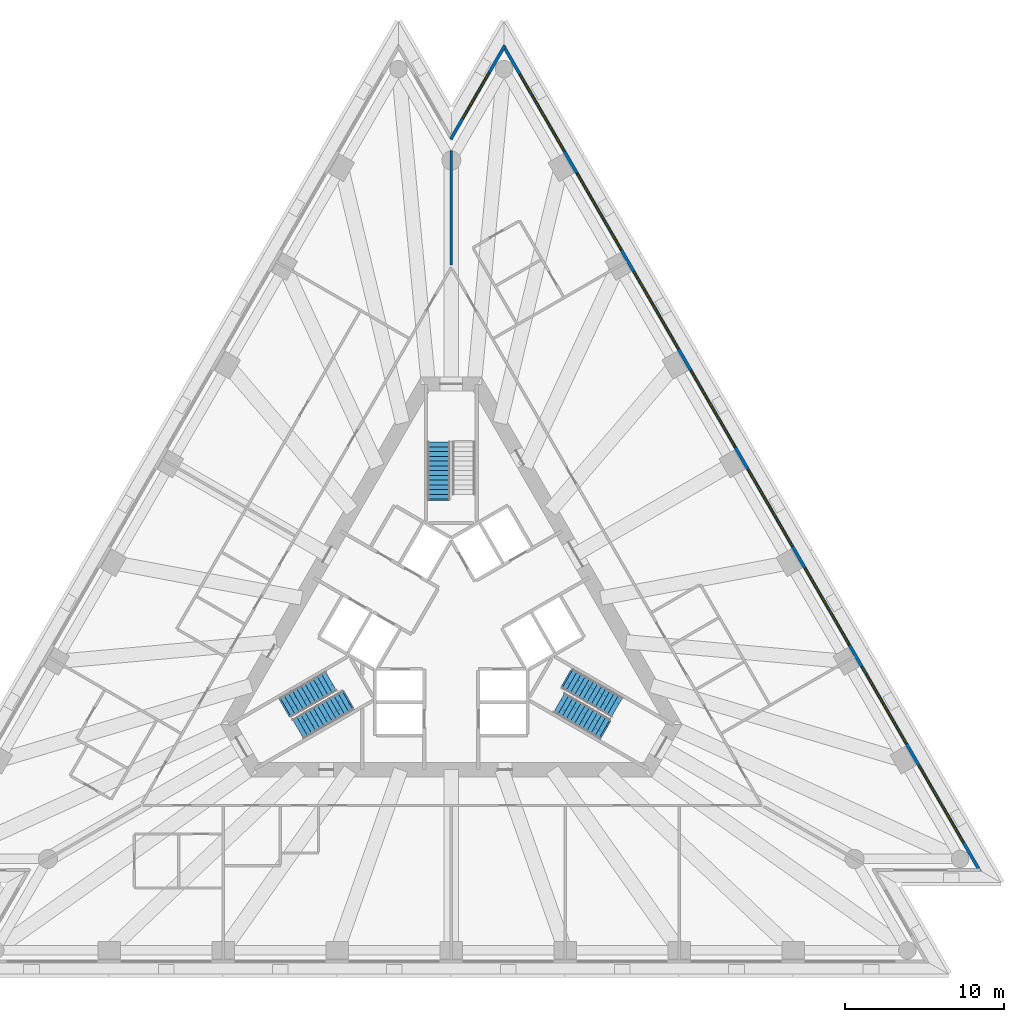
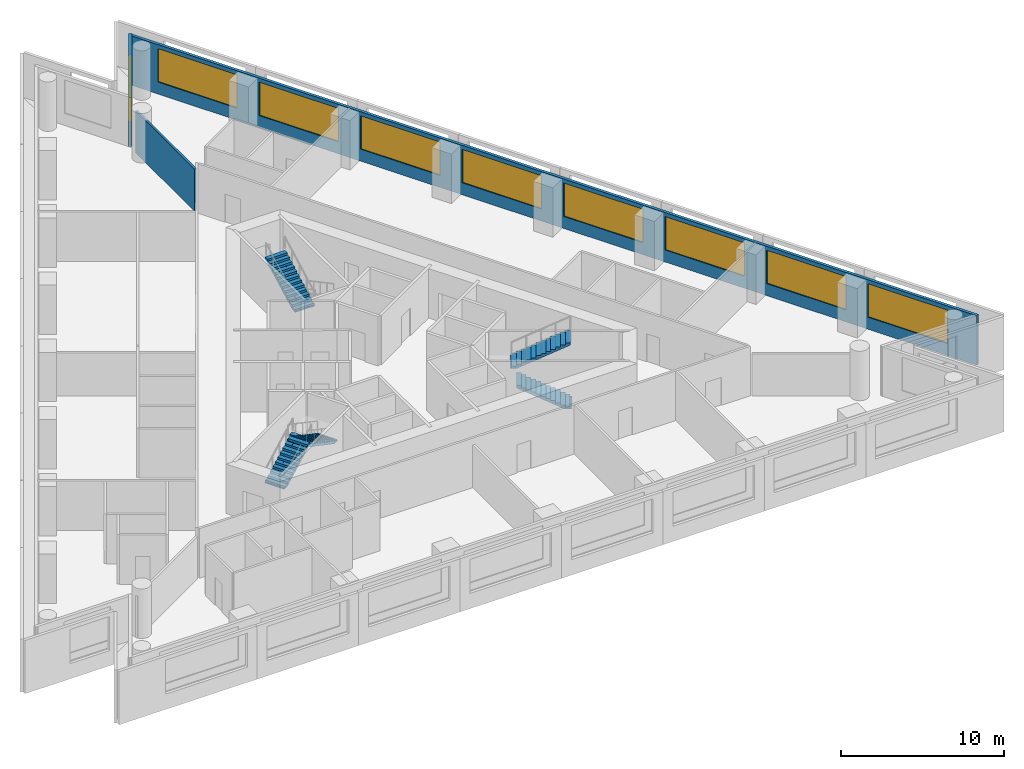
# One storey, part 8 of 11: 9 windows, 5 stair flights, 3 walls, 9 openings, 3 elements without a shape of their own.
"""IFC4 building model written with IfcOpenShell, lengths in metres."""

from ifc_helpers import new_model, si_unit, direction, frame, frame_2d, origin, place, context, subcontext, project, spatial, polyline, rectangle, outline, extrude, material, layer, layer_set, layer_usage, type_object, element, fill, aggregate, save


model = new_model("IFC4")

# Units and contexts
model_context = context("Model", 3, precision=1e-05, world=origin(), true_north=direction((0.0, 1.0)))
body_context = subcontext(model_context, "Body", "Model", "MODEL_VIEW")
ifc_project = project(units=[si_unit("LENGTHUNIT", "METRE"), si_unit("AREAUNIT", "SQUARE_METRE"), si_unit("VOLUMEUNIT", "CUBIC_METRE"), si_unit("PLANEANGLEUNIT", "RADIAN"), si_unit("MASSUNIT", "GRAM", prefix="KILO")], contexts=[model_context])

# Site, building, storey
site_placement = place(None, origin())
site = spatial("IfcSite", under=ifc_project, at=site_placement, CompositionType="ELEMENT")
building_placement = place(site_placement, origin())
building = spatial("IfcBuilding", under=site, at=building_placement, Name="Triada Interchange Tower", CompositionType="ELEMENT")
storey_placement = place(building_placement, frame((0.0, 0.0, 87.300048828125)))
storey = spatial("IfcBuildingStorey", under=building, at=storey_placement, Name="L19", CompositionType="ELEMENT", Elevation=87.300048828125)

# Wall, openings, windows
ifc_material_1 = material(Name="Cement board")
ifc_layer_1 = layer(ifc_material_1, 0.02001953125, Name="Cement board cladding")
ifc_material_2 = material(Name="Sheathing board")
ifc_layer_2 = layer(ifc_material_2, 0.014892578125, Name="Sheathing board")
ifc_material_3 = material(Name="Mineral wool")
ifc_layer_3 = layer(ifc_material_3, 0.14990234375, Name="Mineral wool between steel studs")
ifc_material_4 = material(Name="Gypsum board")
ifc_layer_4 = layer(ifc_material_4, 0.014892578125, Name="Plasterboard lining")
ifc_layer_set_1 = layer_set([ifc_layer_1, ifc_layer_2, ifc_layer_3, ifc_layer_4], Name="External wall 200")
ifc_layer_usage = layer_usage(ifc_layer_set_1, "AXIS2", "POSITIVE", -0.10009765625)
wall_type_1 = type_object("IfcWallType", Name="External wall 200", PredefinedType="ELEMENTEDWALL", material=ifc_layer_set_1)
wall_1_placement = place(storey_placement, frame((33.31689453125, -15.447998046875, 0.0), z_axis=(0.0, 0.0, 1.0), x_axis=(-0.499999874703, 0.866025476125, 0.0)))
wall_1 = element("IfcWall", 1, at=wall_1_placement, inside=storey, type_object=wall_type_1, material=ifc_layer_usage, Name="External wall L19 NE", PredefinedType="ELEMENTEDWALL", context=body_context, shape_type="SweptSolid", body=[
    extrude(rectangle(XDim=60.0537109375, YDim=0.199951171875, at=frame_2d((30.02685546875, 0.0))), origin(), (0.0, 0.0, 1.0), 3.699951171875),
])
opening_1_placement = place(wall_1_placement, frame((2.093994140625, 0.0, 0.89990234375)))
opening_1 = element("IfcOpeningElement", 2, at=opening_1_placement, cuts=wall_1, Name="Opening WA21", PredefinedType="OPENING", context=body_context, shape_type="SweptSolid", body=[
    extrude(rectangle(XDim=5.60009765625, YDim=2.5, at=frame_2d((2.800048828125, 1.25))), frame((0.0, 0.10986328125, 0.0), z_axis=(0.0, -1.0, 0.0), x_axis=(1.0, 0.0, 0.0)), (0.0, 0.0, 1.0), 0.219970703125),
])
opening_2_placement = place(wall_1_placement, frame((9.278076171875, 0.0, 0.89990234375)))
opening_2 = element("IfcOpeningElement", 3, at=opening_2_placement, cuts=wall_1, Name="Opening WA22", PredefinedType="OPENING", context=body_context, shape_type="SweptSolid", body=[
    extrude(rectangle(XDim=5.60009765625, YDim=2.5, at=frame_2d((2.800048828125, 1.25))), frame((0.0, 0.10986328125, 0.0), z_axis=(0.0, -1.0, 0.0), x_axis=(1.0, 0.0, 0.0)), (0.0, 0.0, 1.0), 0.219970703125),
])
opening_3_placement = place(wall_1_placement, frame((16.4619140625, 0.0, 0.89990234375)))
opening_3 = element("IfcOpeningElement", 4, at=opening_3_placement, cuts=wall_1, Name="Opening WA23", PredefinedType="OPENING", context=body_context, shape_type="SweptSolid", body=[
    extrude(rectangle(XDim=5.60009765625, YDim=2.5, at=frame_2d((2.800048828125, 1.25))), frame((0.0, 0.10986328125, 0.0), z_axis=(0.0, -1.0, 0.0), x_axis=(1.0, 0.0, 0.0)), (0.0, 0.0, 1.0), 0.219970703125),
])
opening_4_placement = place(wall_1_placement, frame((23.64501953125, 0.0, 0.89990234375)))
opening_4 = element("IfcOpeningElement", 5, at=opening_4_placement, cuts=wall_1, Name="Opening WA24", PredefinedType="OPENING", context=body_context, shape_type="SweptSolid", body=[
    extrude(rectangle(XDim=5.60009765625, YDim=2.5, at=frame_2d((2.800048828125, 1.25))), frame((0.0, 0.10986328125, 0.0), z_axis=(0.0, -1.0, 0.0), x_axis=(1.0, 0.0, 0.0)), (0.0, 0.0, 1.0), 0.219970703125),
])
opening_5_placement = place(wall_1_placement, frame((30.8291015625, 0.0, 0.89990234375)))
opening_5 = element("IfcOpeningElement", 6, at=opening_5_placement, cuts=wall_1, Name="Opening WA25", PredefinedType="OPENING", context=body_context, shape_type="SweptSolid", body=[
    extrude(rectangle(XDim=5.60009765625, YDim=2.5, at=frame_2d((2.800048828125, 1.25))), frame((0.0, 0.10986328125, 0.0), z_axis=(0.0, -1.0, 0.0), x_axis=(1.0, 0.0, 0.0)), (0.0, 0.0, 1.0), 0.219970703125),
])
opening_6_placement = place(wall_1_placement, frame((38.011962890625, 0.0, 0.89990234375)))
opening_6 = element("IfcOpeningElement", 7, at=opening_6_placement, cuts=wall_1, Name="Opening WA26", PredefinedType="OPENING", context=body_context, shape_type="SweptSolid", body=[
    extrude(rectangle(XDim=5.60009765625, YDim=2.5, at=frame_2d((2.800048828125, 1.25))), frame((0.0, 0.10986328125, 0.0), z_axis=(0.0, -1.0, 0.0), x_axis=(1.0, 0.0, 0.0)), (0.0, 0.0, 1.0), 0.219970703125),
])
opening_7_placement = place(wall_1_placement, frame((45.196044921875, 0.0, 0.89990234375)))
opening_7 = element("IfcOpeningElement", 8, at=opening_7_placement, cuts=wall_1, Name="Opening WA27", PredefinedType="OPENING", context=body_context, shape_type="SweptSolid", body=[
    extrude(rectangle(XDim=5.60009765625, YDim=2.5, at=frame_2d((2.800048828125, 1.25))), frame((0.0, 0.10986328125, 0.0), z_axis=(0.0, -1.0, 0.0), x_axis=(1.0, 0.0, 0.0)), (0.0, 0.0, 1.0), 0.219970703125),
])
opening_8_placement = place(wall_1_placement, frame((52.37890625, 0.0, 0.89990234375)))
opening_8 = element("IfcOpeningElement", 9, at=opening_8_placement, cuts=wall_1, Name="Opening WA28", PredefinedType="OPENING", context=body_context, shape_type="SweptSolid", body=[
    extrude(rectangle(XDim=5.60009765625, YDim=2.5, at=frame_2d((2.800048828125, 1.25))), frame((0.0, 0.10986328125, 0.0), z_axis=(0.0, -1.0, 0.0), x_axis=(1.0, 0.0, 0.0)), (0.0, 0.0, 1.0), 0.219970703125),
])
ifc_material_5 = material(Name="Double glazed aluminium window", Category="aluminium")
window_type_1 = type_object("IfcWindowType", Name="Ribbon window A face", PartitioningType="SINGLE_PANEL", PredefinedType="WINDOW", material=ifc_material_5)
window_1_placement = place(opening_1_placement, origin())
window_1 = element("IfcWindow", 10, at=window_1_placement, inside=storey, type_object=window_type_1, Name="Window L19 NE 1", OverallHeight=2.5, OverallWidth=5.60009765625, PartitioningType="SINGLE_PANEL", PredefinedType="WINDOW", context=body_context, shape_type="SweptSolid", body=[
    extrude(rectangle(XDim=5.60009765625, YDim=2.5, at=frame_2d((2.800048828125, 1.25))), frame((0.0, 0.030029296875, 0.0), z_axis=(0.0, -1.0, 0.0), x_axis=(1.0, 0.0, 0.0)), (0.0, 0.0, 1.0), 0.06005859375),
])
fill(opening_1, window_1)
window_2_placement = place(opening_2_placement, origin())
window_2 = element("IfcWindow", 11, at=window_2_placement, inside=storey, type_object=window_type_1, Name="Window L19 NE 2", OverallHeight=2.5, OverallWidth=5.60009765625, PartitioningType="SINGLE_PANEL", PredefinedType="WINDOW", context=body_context, shape_type="SweptSolid", body=[
    extrude(rectangle(XDim=5.60009765625, YDim=2.5, at=frame_2d((2.800048828125, 1.25))), frame((0.0, 0.030029296875, 0.0), z_axis=(0.0, -1.0, 0.0), x_axis=(1.0, 0.0, 0.0)), (0.0, 0.0, 1.0), 0.06005859375),
])
fill(opening_2, window_2)
window_3_placement = place(opening_3_placement, origin())
window_3 = element("IfcWindow", 12, at=window_3_placement, inside=storey, type_object=window_type_1, Name="Window L19 NE 3", OverallHeight=2.5, OverallWidth=5.60009765625, PartitioningType="SINGLE_PANEL", PredefinedType="WINDOW", context=body_context, shape_type="SweptSolid", body=[
    extrude(rectangle(XDim=5.60009765625, YDim=2.5, at=frame_2d((2.800048828125, 1.25))), frame((0.0, 0.030029296875, 0.0), z_axis=(0.0, -1.0, 0.0), x_axis=(1.0, 0.0, 0.0)), (0.0, 0.0, 1.0), 0.06005859375),
])
fill(opening_3, window_3)
window_4_placement = place(opening_4_placement, origin())
window_4 = element("IfcWindow", 13, at=window_4_placement, inside=storey, type_object=window_type_1, Name="Window L19 NE 4", OverallHeight=2.5, OverallWidth=5.60009765625, PartitioningType="SINGLE_PANEL", PredefinedType="WINDOW", context=body_context, shape_type="SweptSolid", body=[
    extrude(rectangle(XDim=5.60009765625, YDim=2.5, at=frame_2d((2.800048828125, 1.25))), frame((0.0, 0.030029296875, 0.0), z_axis=(0.0, -1.0, 0.0), x_axis=(1.0, 0.0, 0.0)), (0.0, 0.0, 1.0), 0.06005859375),
])
fill(opening_4, window_4)
window_5_placement = place(opening_5_placement, origin())
window_5 = element("IfcWindow", 14, at=window_5_placement, inside=storey, type_object=window_type_1, Name="Window L19 NE 5", OverallHeight=2.5, OverallWidth=5.60009765625, PartitioningType="SINGLE_PANEL", PredefinedType="WINDOW", context=body_context, shape_type="SweptSolid", body=[
    extrude(rectangle(XDim=5.60009765625, YDim=2.5, at=frame_2d((2.800048828125, 1.25))), frame((0.0, 0.030029296875, 0.0), z_axis=(0.0, -1.0, 0.0), x_axis=(1.0, 0.0, 0.0)), (0.0, 0.0, 1.0), 0.06005859375),
])
fill(opening_5, window_5)
window_6_placement = place(opening_6_placement, origin())
window_6 = element("IfcWindow", 15, at=window_6_placement, inside=storey, type_object=window_type_1, Name="Window L19 NE 6", OverallHeight=2.5, OverallWidth=5.60009765625, PartitioningType="SINGLE_PANEL", PredefinedType="WINDOW", context=body_context, shape_type="SweptSolid", body=[
    extrude(rectangle(XDim=5.60009765625, YDim=2.5, at=frame_2d((2.800048828125, 1.25))), frame((0.0, 0.030029296875, 0.0), z_axis=(0.0, -1.0, 0.0), x_axis=(1.0, 0.0, 0.0)), (0.0, 0.0, 1.0), 0.06005859375),
])
fill(opening_6, window_6)
window_7_placement = place(opening_7_placement, origin())
window_7 = element("IfcWindow", 16, at=window_7_placement, inside=storey, type_object=window_type_1, Name="Window L19 NE 7", OverallHeight=2.5, OverallWidth=5.60009765625, PartitioningType="SINGLE_PANEL", PredefinedType="WINDOW", context=body_context, shape_type="SweptSolid", body=[
    extrude(rectangle(XDim=5.60009765625, YDim=2.5, at=frame_2d((2.800048828125, 1.25))), frame((0.0, 0.030029296875, 0.0), z_axis=(0.0, -1.0, 0.0), x_axis=(1.0, 0.0, 0.0)), (0.0, 0.0, 1.0), 0.06005859375),
])
fill(opening_7, window_7)
window_8_placement = place(opening_8_placement, origin())
window_8 = element("IfcWindow", 17, at=window_8_placement, inside=storey, type_object=window_type_1, Name="Window L19 NE 8", OverallHeight=2.5, OverallWidth=5.60009765625, PartitioningType="SINGLE_PANEL", PredefinedType="WINDOW", context=body_context, shape_type="SweptSolid", body=[
    extrude(rectangle(XDim=5.60009765625, YDim=2.5, at=frame_2d((2.800048828125, 1.25))), frame((0.0, 0.030029296875, 0.0), z_axis=(0.0, -1.0, 0.0), x_axis=(1.0, 0.0, 0.0)), (0.0, 0.0, 1.0), 0.06005859375),
])
fill(opening_8, window_8)

# Wall, opening, window
wall_2_placement = place(storey_placement, frame((3.3701171875, 36.576904296875, 0.0), z_axis=(0.0, 0.0, 1.0), x_axis=(-0.499983120418, -0.866035148996, 0.0)))
wall_2 = element("IfcWall", 18, at=wall_2_placement, inside=storey, type_object=wall_type_1, material=ifc_layer_usage, Name="External wall L19 N-1", PredefinedType="ELEMENTEDWALL", context=body_context, shape_type="SweptSolid", body=[
    extrude(rectangle(XDim=6.810302734375, YDim=0.199951171875, at=frame_2d((3.4052734375, 0.0))), origin(), (0.0, 0.0, 1.0), 3.699951171875),
])
opening_9_placement = place(wall_2_placement, frame((1.989990234375, 0.0, 0.89990234375)))
opening_9 = element("IfcOpeningElement", 19, at=opening_9_placement, cuts=wall_2, Name="Opening WA29", PredefinedType="OPENING", context=body_context, shape_type="SweptSolid", body=[
    extrude(rectangle(XDim=3.300048828125, YDim=2.5, at=frame_2d((1.64990234375, 1.25))), frame((0.0, 0.10986328125, 0.0), z_axis=(0.0, -1.0, 0.0), x_axis=(1.0, 0.0, 0.0)), (0.0, 0.0, 1.0), 0.219970703125),
])
window_type_2 = type_object("IfcWindowType", Name="Ribbon window A pocket", PartitioningType="SINGLE_PANEL", PredefinedType="WINDOW", material=ifc_material_5)
window_9_placement = place(opening_9_placement, origin())
window_9 = element("IfcWindow", 20, at=window_9_placement, inside=storey, type_object=window_type_2, Name="Window L19 N-1 1", OverallHeight=2.5, OverallWidth=3.300048828125, PartitioningType="SINGLE_PANEL", PredefinedType="WINDOW", context=body_context, shape_type="SweptSolid", body=[
    extrude(rectangle(XDim=3.300048828125, YDim=2.5, at=frame_2d((1.64990234375, 1.25))), frame((0.0, 0.030029296875, 0.0), z_axis=(0.0, -1.0, 0.0), x_axis=(1.0, 0.0, 0.0)), (0.0, 0.0, 1.0), 0.06005859375),
])
fill(opening_9, window_9)

# Wall
ifc_material_6 = material(Name="Gypsum board partition")
ifc_layer_5 = layer(ifc_material_6, 0.14990234375)
ifc_layer_set_2 = layer_set([ifc_layer_5], Name="PARTITION 150 EI 180")
wall_type_2 = type_object("IfcWallType", Name="PARTITION 150 EI 180", PredefinedType="PARTITIONING", material=ifc_layer_set_2)
wall_3_placement = place(storey_placement, frame((0.0, 22.75, 0.0), z_axis=(0.0, 0.0, 1.0), x_axis=(0.0, 1.0, 0.0)))
element("IfcWall", 21, at=wall_3_placement, inside=storey, type_object=wall_type_2, Name="Wall L18 18", PredefinedType="PARTITIONING", context=body_context, shape_type="SweptSolid", body=[
    extrude(rectangle(XDim=7.2099609375, YDim=0.14990234375, at=frame_2d((3.60498046875, 0.0))), origin(), (0.0, 0.0, 1.0), 3.14990234375),
])

# Stair, stair flight
ifc_material_7 = material(Name="Concrete C35/45", Category="concrete")
stair_type = type_object("IfcStairType", Name="HALF TURN STAIR 1400", PredefinedType="HALF_TURN_STAIR", material=ifc_material_7)
stair_1_placement = place(storey_placement, origin())
stair_1 = element("IfcStair", 22, at=stair_1_placement, inside=storey, type_object=stair_type, Name="Exit stair S18-1", PredefinedType="HALF_TURN_STAIR")
stair_flight_type = type_object("IfcStairFlightType", Name="STRAIGHT STAIR FLIGHT 1400", PredefinedType="STRAIGHT", material=ifc_material_7)
stair_flight_1_placement = place(storey_placement, frame((-0.800048828125, 8.0, 1.919921875), z_axis=(0.0, 0.0, 1.0), x_axis=(0.0, 1.0, 0.0)))
stair_flight_1 = element("IfcStairFlight", 23, at=stair_flight_1_placement, type_object=stair_flight_type, Name="S18-1 flight 2", NumberOfRisers=13, NumberOfTreads=12, PredefinedType="STRAIGHT", RiserHeight=0.16, TreadLength=0.3, context=body_context, shape_type="SweptSolid", body=[
    extrude(outline(polyline([(-0.10009765625, 0.0), (-0.10009765625, 0.02001953125), (0.0, 0.02001953125), (0.0, 0.159912109375), (0.300048828125, 0.159912109375), (0.300048828125, 0.320068359375), (0.60009765625, 0.320068359375), (0.60009765625, 0.47998046875), (0.89990234375, 0.47998046875), (0.89990234375, 0.639892578125), (1.199951171875, 0.639892578125), (1.199951171875, 0.800048828125), (1.5, 0.800048828125), (1.5, 0.9599609375), (1.800048828125, 0.9599609375), (1.800048828125, 1.1201171875), (2.10009765625, 1.1201171875), (2.10009765625, 1.280029296875), (2.39990234375, 1.280029296875), (2.39990234375, 1.43994140625), (2.699951171875, 1.43994140625), (2.699951171875, 1.60009765625), (3.0, 1.60009765625), (3.0, 1.760009765625), (3.300048828125, 1.760009765625), (3.300048828125, 1.919921875), (3.60009765625, 1.919921875), (3.60400390625, 1.919921875), (3.60400390625, 2.080078125), (3.60400390625, 1.75), (0.318603515625, 0.0), (-0.10009765625, 0.0)])), frame((0.0, 0.699951171875, 0.0), z_axis=(0.0, -1.0, 0.0), x_axis=(1.0, 0.0, 0.0)), (0.0, 0.0, 1.0), 0.46533203125),
    extrude(outline(polyline([(-0.10009765625, 0.0), (-0.10009765625, 0.02001953125), (0.0, 0.02001953125), (0.0, 0.159912109375), (0.300048828125, 0.159912109375), (0.300048828125, 0.320068359375), (0.60009765625, 0.320068359375), (0.60009765625, 0.47998046875), (0.89990234375, 0.47998046875), (0.89990234375, 0.639892578125), (1.199951171875, 0.639892578125), (1.199951171875, 0.800048828125), (1.5, 0.800048828125), (1.5, 0.9599609375), (1.800048828125, 0.9599609375), (1.800048828125, 1.1201171875), (2.10009765625, 1.1201171875), (2.10009765625, 1.280029296875), (2.39990234375, 1.280029296875), (2.39990234375, 1.43994140625), (2.699951171875, 1.43994140625), (2.699951171875, 1.60009765625), (3.0, 1.60009765625), (3.0, 1.760009765625), (3.300048828125, 1.760009765625), (3.300048828125, 1.919921875), (3.60009765625, 1.919921875), (3.60400390625, 1.919921875), (3.60400390625, 2.080078125), (3.60400390625, 1.75), (0.318603515625, 0.0), (-0.10009765625, 0.0)])), frame((0.0, 0.232666015625, 0.0), z_axis=(0.0, -1.0, 0.0), x_axis=(1.0, 0.0, 0.0)), (0.0, 0.0, 1.0), 0.46533203125),
    extrude(outline(polyline([(-0.10009765625, 0.0), (-0.10009765625, 0.02001953125), (0.0, 0.02001953125), (0.0, 0.159912109375), (0.300048828125, 0.159912109375), (0.300048828125, 0.320068359375), (0.60009765625, 0.320068359375), (0.60009765625, 0.47998046875), (0.89990234375, 0.47998046875), (0.89990234375, 0.639892578125), (1.199951171875, 0.639892578125), (1.199951171875, 0.800048828125), (1.5, 0.800048828125), (1.5, 0.9599609375), (1.800048828125, 0.9599609375), (1.800048828125, 1.1201171875), (2.10009765625, 1.1201171875), (2.10009765625, 1.280029296875), (2.39990234375, 1.280029296875), (2.39990234375, 1.43994140625), (2.699951171875, 1.43994140625), (2.699951171875, 1.60009765625), (3.0, 1.60009765625), (3.0, 1.760009765625), (3.300048828125, 1.760009765625), (3.300048828125, 1.919921875), (3.60009765625, 1.919921875), (3.60400390625, 1.919921875), (3.60400390625, 2.080078125), (3.60400390625, 1.75), (0.318603515625, 0.0), (-0.10009765625, 0.0)])), frame((0.0, -0.234619140625, 0.0), z_axis=(0.0, -1.0, 0.0), x_axis=(1.0, 0.0, 0.0)), (0.0, 0.0, 1.0), 0.46533203125),
])
aggregate(stair_1, [stair_flight_1])

# Stair, stair flights
stair_2_placement = place(storey_placement, origin())
stair_2 = element("IfcStair", 24, at=stair_2_placement, inside=storey, type_object=stair_type, Name="Exit stair S18-2", PredefinedType="HALF_TURN_STAIR")
stair_flight_2_placement = place(storey_placement, frame((-10.446044921875, -5.10693359375, 0.0), z_axis=(0.0, 0.0, 1.0), x_axis=(0.866025403784, 0.5, 0.0)))
stair_flight_2 = element("IfcStairFlight", 25, at=stair_flight_2_placement, type_object=stair_flight_type, Name="S18-2 flight 1", NumberOfRisers=12, NumberOfTreads=11, PredefinedType="STRAIGHT", RiserHeight=0.16, TreadLength=0.3, context=body_context, shape_type="SweptSolid", body=[
    extrude(outline(polyline([(-0.10009765625, 0.0), (-0.10009765625, 0.02001953125), (0.0, 0.02001953125), (0.0, 0.159912109375), (0.300048828125, 0.159912109375), (0.300048828125, 0.320068359375), (0.60009765625, 0.320068359375), (0.60009765625, 0.47998046875), (0.89990234375, 0.47998046875), (0.89990234375, 0.639892578125), (1.199951171875, 0.639892578125), (1.199951171875, 0.800048828125), (1.5, 0.800048828125), (1.5, 0.9599609375), (1.800048828125, 0.9599609375), (1.800048828125, 1.1201171875), (2.10009765625, 1.1201171875), (2.10009765625, 1.280029296875), (2.39990234375, 1.280029296875), (2.39990234375, 1.43994140625), (2.699951171875, 1.43994140625), (2.699951171875, 1.60009765625), (3.0, 1.60009765625), (3.0, 1.760009765625), (3.300048828125, 1.760009765625), (3.303955078125, 1.760009765625), (3.303955078125, 1.919921875), (3.303955078125, 1.590087890625), (0.318603515625, 0.0), (-0.10009765625, 0.0)])), frame((0.0, 0.699951171875, 0.0), z_axis=(0.0, -1.0, 0.0), x_axis=(1.0, 0.0, 0.0)), (0.0, 0.0, 1.0), 0.46533203125),
    extrude(outline(polyline([(-0.10009765625, 0.0), (-0.10009765625, 0.02001953125), (0.0, 0.02001953125), (0.0, 0.159912109375), (0.300048828125, 0.159912109375), (0.300048828125, 0.320068359375), (0.60009765625, 0.320068359375), (0.60009765625, 0.47998046875), (0.89990234375, 0.47998046875), (0.89990234375, 0.639892578125), (1.199951171875, 0.639892578125), (1.199951171875, 0.800048828125), (1.5, 0.800048828125), (1.5, 0.9599609375), (1.800048828125, 0.9599609375), (1.800048828125, 1.1201171875), (2.10009765625, 1.1201171875), (2.10009765625, 1.280029296875), (2.39990234375, 1.280029296875), (2.39990234375, 1.43994140625), (2.699951171875, 1.43994140625), (2.699951171875, 1.60009765625), (3.0, 1.60009765625), (3.0, 1.760009765625), (3.300048828125, 1.760009765625), (3.303955078125, 1.760009765625), (3.303955078125, 1.919921875), (3.303955078125, 1.590087890625), (0.318603515625, 0.0), (-0.10009765625, 0.0)])), frame((0.0, 0.232666015625, 0.0), z_axis=(0.0, -1.0, 0.0), x_axis=(1.0, 0.0, 0.0)), (0.0, 0.0, 1.0), 0.46533203125),
    extrude(outline(polyline([(-0.10009765625, 0.0), (-0.10009765625, 0.02001953125), (0.0, 0.02001953125), (0.0, 0.159912109375), (0.300048828125, 0.159912109375), (0.300048828125, 0.320068359375), (0.60009765625, 0.320068359375), (0.60009765625, 0.47998046875), (0.89990234375, 0.47998046875), (0.89990234375, 0.639892578125), (1.199951171875, 0.639892578125), (1.199951171875, 0.800048828125), (1.5, 0.800048828125), (1.5, 0.9599609375), (1.800048828125, 0.9599609375), (1.800048828125, 1.1201171875), (2.10009765625, 1.1201171875), (2.10009765625, 1.280029296875), (2.39990234375, 1.280029296875), (2.39990234375, 1.43994140625), (2.699951171875, 1.43994140625), (2.699951171875, 1.60009765625), (3.0, 1.60009765625), (3.0, 1.760009765625), (3.300048828125, 1.760009765625), (3.303955078125, 1.760009765625), (3.303955078125, 1.919921875), (3.303955078125, 1.590087890625), (0.318603515625, 0.0), (-0.10009765625, 0.0)])), frame((0.0, -0.234619140625, 0.0), z_axis=(0.0, -1.0, 0.0), x_axis=(1.0, 0.0, 0.0)), (0.0, 0.0, 1.0), 0.46533203125),
])
stair_flight_3_placement = place(storey_placement, frame((-6.528076171875, -4.693115234375, 1.919921875), z_axis=(0.0, 0.0, 1.0), x_axis=(-0.866025403784, -0.5, 0.0)))
stair_flight_3 = element("IfcStairFlight", 26, at=stair_flight_3_placement, type_object=stair_flight_type, Name="S18-2 flight 2", NumberOfRisers=13, NumberOfTreads=12, PredefinedType="STRAIGHT", RiserHeight=0.16, TreadLength=0.3, context=body_context, shape_type="SweptSolid", body=[
    extrude(outline(polyline([(-0.10009765625, 0.0), (-0.10009765625, 0.02001953125), (0.0, 0.02001953125), (0.0, 0.159912109375), (0.300048828125, 0.159912109375), (0.300048828125, 0.320068359375), (0.60009765625, 0.320068359375), (0.60009765625, 0.47998046875), (0.89990234375, 0.47998046875), (0.89990234375, 0.639892578125), (1.199951171875, 0.639892578125), (1.199951171875, 0.800048828125), (1.5, 0.800048828125), (1.5, 0.9599609375), (1.800048828125, 0.9599609375), (1.800048828125, 1.1201171875), (2.10009765625, 1.1201171875), (2.10009765625, 1.280029296875), (2.39990234375, 1.280029296875), (2.39990234375, 1.43994140625), (2.699951171875, 1.43994140625), (2.699951171875, 1.60009765625), (3.0, 1.60009765625), (3.0, 1.760009765625), (3.300048828125, 1.760009765625), (3.300048828125, 1.919921875), (3.60009765625, 1.919921875), (3.60400390625, 1.919921875), (3.60400390625, 2.080078125), (3.60400390625, 1.75), (0.318603515625, 0.0), (-0.10009765625, 0.0)])), frame((0.0, 0.699951171875, 0.0), z_axis=(0.0, -1.0, 0.0), x_axis=(1.0, 0.0, 0.0)), (0.0, 0.0, 1.0), 0.46533203125),
    extrude(outline(polyline([(-0.10009765625, 0.0), (-0.10009765625, 0.02001953125), (0.0, 0.02001953125), (0.0, 0.159912109375), (0.300048828125, 0.159912109375), (0.300048828125, 0.320068359375), (0.60009765625, 0.320068359375), (0.60009765625, 0.47998046875), (0.89990234375, 0.47998046875), (0.89990234375, 0.639892578125), (1.199951171875, 0.639892578125), (1.199951171875, 0.800048828125), (1.5, 0.800048828125), (1.5, 0.9599609375), (1.800048828125, 0.9599609375), (1.800048828125, 1.1201171875), (2.10009765625, 1.1201171875), (2.10009765625, 1.280029296875), (2.39990234375, 1.280029296875), (2.39990234375, 1.43994140625), (2.699951171875, 1.43994140625), (2.699951171875, 1.60009765625), (3.0, 1.60009765625), (3.0, 1.760009765625), (3.300048828125, 1.760009765625), (3.300048828125, 1.919921875), (3.60009765625, 1.919921875), (3.60400390625, 1.919921875), (3.60400390625, 2.080078125), (3.60400390625, 1.75), (0.318603515625, 0.0), (-0.10009765625, 0.0)])), frame((0.0, 0.232666015625, 0.0), z_axis=(0.0, -1.0, 0.0), x_axis=(1.0, 0.0, 0.0)), (0.0, 0.0, 1.0), 0.46533203125),
    extrude(outline(polyline([(-0.10009765625, 0.0), (-0.10009765625, 0.02001953125), (0.0, 0.02001953125), (0.0, 0.159912109375), (0.300048828125, 0.159912109375), (0.300048828125, 0.320068359375), (0.60009765625, 0.320068359375), (0.60009765625, 0.47998046875), (0.89990234375, 0.47998046875), (0.89990234375, 0.639892578125), (1.199951171875, 0.639892578125), (1.199951171875, 0.800048828125), (1.5, 0.800048828125), (1.5, 0.9599609375), (1.800048828125, 0.9599609375), (1.800048828125, 1.1201171875), (2.10009765625, 1.1201171875), (2.10009765625, 1.280029296875), (2.39990234375, 1.280029296875), (2.39990234375, 1.43994140625), (2.699951171875, 1.43994140625), (2.699951171875, 1.60009765625), (3.0, 1.60009765625), (3.0, 1.760009765625), (3.300048828125, 1.760009765625), (3.300048828125, 1.919921875), (3.60009765625, 1.919921875), (3.60400390625, 1.919921875), (3.60400390625, 2.080078125), (3.60400390625, 1.75), (0.318603515625, 0.0), (-0.10009765625, 0.0)])), frame((0.0, -0.234619140625, 0.0), z_axis=(0.0, -1.0, 0.0), x_axis=(1.0, 0.0, 0.0)), (0.0, 0.0, 1.0), 0.46533203125),
])
aggregate(stair_2, [stair_flight_2, stair_flight_3])

stair_3_placement = place(storey_placement, origin())
stair_3 = element("IfcStair", 27, at=stair_3_placement, inside=storey, type_object=stair_type, Name="Exit stair S18-3", PredefinedType="HALF_TURN_STAIR")
stair_flight_4_placement = place(storey_placement, frame((9.64599609375, -6.492919921875, 0.0), z_axis=(0.0, 0.0, 1.0), x_axis=(-0.866025403784, 0.5, 0.0)))
stair_flight_4 = element("IfcStairFlight", 28, at=stair_flight_4_placement, type_object=stair_flight_type, Name="S18-3 flight 1", NumberOfRisers=12, NumberOfTreads=11, PredefinedType="STRAIGHT", RiserHeight=0.16, TreadLength=0.3, context=body_context, shape_type="SweptSolid", body=[
    extrude(outline(polyline([(-0.10009765625, 0.0), (-0.10009765625, 0.02001953125), (0.0, 0.02001953125), (0.0, 0.159912109375), (0.300048828125, 0.159912109375), (0.300048828125, 0.320068359375), (0.60009765625, 0.320068359375), (0.60009765625, 0.47998046875), (0.89990234375, 0.47998046875), (0.89990234375, 0.639892578125), (1.199951171875, 0.639892578125), (1.199951171875, 0.800048828125), (1.5, 0.800048828125), (1.5, 0.9599609375), (1.800048828125, 0.9599609375), (1.800048828125, 1.1201171875), (2.10009765625, 1.1201171875), (2.10009765625, 1.280029296875), (2.39990234375, 1.280029296875), (2.39990234375, 1.43994140625), (2.699951171875, 1.43994140625), (2.699951171875, 1.60009765625), (3.0, 1.60009765625), (3.0, 1.760009765625), (3.300048828125, 1.760009765625), (3.303955078125, 1.760009765625), (3.303955078125, 1.919921875), (3.303955078125, 1.590087890625), (0.318603515625, 0.0), (-0.10009765625, 0.0)])), frame((0.0, 0.699951171875, 0.0), z_axis=(0.0, -1.0, 0.0), x_axis=(1.0, 0.0, 0.0)), (0.0, 0.0, 1.0), 0.46533203125),
    extrude(outline(polyline([(-0.10009765625, 0.0), (-0.10009765625, 0.02001953125), (0.0, 0.02001953125), (0.0, 0.159912109375), (0.300048828125, 0.159912109375), (0.300048828125, 0.320068359375), (0.60009765625, 0.320068359375), (0.60009765625, 0.47998046875), (0.89990234375, 0.47998046875), (0.89990234375, 0.639892578125), (1.199951171875, 0.639892578125), (1.199951171875, 0.800048828125), (1.5, 0.800048828125), (1.5, 0.9599609375), (1.800048828125, 0.9599609375), (1.800048828125, 1.1201171875), (2.10009765625, 1.1201171875), (2.10009765625, 1.280029296875), (2.39990234375, 1.280029296875), (2.39990234375, 1.43994140625), (2.699951171875, 1.43994140625), (2.699951171875, 1.60009765625), (3.0, 1.60009765625), (3.0, 1.760009765625), (3.300048828125, 1.760009765625), (3.303955078125, 1.760009765625), (3.303955078125, 1.919921875), (3.303955078125, 1.590087890625), (0.318603515625, 0.0), (-0.10009765625, 0.0)])), frame((0.0, 0.232666015625, 0.0), z_axis=(0.0, -1.0, 0.0), x_axis=(1.0, 0.0, 0.0)), (0.0, 0.0, 1.0), 0.46533203125),
    extrude(outline(polyline([(-0.10009765625, 0.0), (-0.10009765625, 0.02001953125), (0.0, 0.02001953125), (0.0, 0.159912109375), (0.300048828125, 0.159912109375), (0.300048828125, 0.320068359375), (0.60009765625, 0.320068359375), (0.60009765625, 0.47998046875), (0.89990234375, 0.47998046875), (0.89990234375, 0.639892578125), (1.199951171875, 0.639892578125), (1.199951171875, 0.800048828125), (1.5, 0.800048828125), (1.5, 0.9599609375), (1.800048828125, 0.9599609375), (1.800048828125, 1.1201171875), (2.10009765625, 1.1201171875), (2.10009765625, 1.280029296875), (2.39990234375, 1.280029296875), (2.39990234375, 1.43994140625), (2.699951171875, 1.43994140625), (2.699951171875, 1.60009765625), (3.0, 1.60009765625), (3.0, 1.760009765625), (3.300048828125, 1.760009765625), (3.303955078125, 1.760009765625), (3.303955078125, 1.919921875), (3.303955078125, 1.590087890625), (0.318603515625, 0.0), (-0.10009765625, 0.0)])), frame((0.0, -0.234619140625, 0.0), z_axis=(0.0, -1.0, 0.0), x_axis=(1.0, 0.0, 0.0)), (0.0, 0.0, 1.0), 0.46533203125),
])
stair_flight_5_placement = place(storey_placement, frame((7.327880859375, -3.306884765625, 1.919921875), z_axis=(0.0, 0.0, 1.0), x_axis=(0.866025403784, -0.5, 0.0)))
stair_flight_5 = element("IfcStairFlight", 29, at=stair_flight_5_placement, type_object=stair_flight_type, Name="S18-3 flight 2", NumberOfRisers=13, NumberOfTreads=12, PredefinedType="STRAIGHT", RiserHeight=0.16, TreadLength=0.3, context=body_context, shape_type="SweptSolid", body=[
    extrude(outline(polyline([(-0.10009765625, 0.0), (-0.10009765625, 0.02001953125), (0.0, 0.02001953125), (0.0, 0.159912109375), (0.300048828125, 0.159912109375), (0.300048828125, 0.320068359375), (0.60009765625, 0.320068359375), (0.60009765625, 0.47998046875), (0.89990234375, 0.47998046875), (0.89990234375, 0.639892578125), (1.199951171875, 0.639892578125), (1.199951171875, 0.800048828125), (1.5, 0.800048828125), (1.5, 0.9599609375), (1.800048828125, 0.9599609375), (1.800048828125, 1.1201171875), (2.10009765625, 1.1201171875), (2.10009765625, 1.280029296875), (2.39990234375, 1.280029296875), (2.39990234375, 1.43994140625), (2.699951171875, 1.43994140625), (2.699951171875, 1.60009765625), (3.0, 1.60009765625), (3.0, 1.760009765625), (3.300048828125, 1.760009765625), (3.300048828125, 1.919921875), (3.60009765625, 1.919921875), (3.60400390625, 1.919921875), (3.60400390625, 2.080078125), (3.60400390625, 1.75), (0.318603515625, 0.0), (-0.10009765625, 0.0)])), frame((0.0, 0.699951171875, 0.0), z_axis=(0.0, -1.0, 0.0), x_axis=(1.0, 0.0, 0.0)), (0.0, 0.0, 1.0), 0.46533203125),
    extrude(outline(polyline([(-0.10009765625, 0.0), (-0.10009765625, 0.02001953125), (0.0, 0.02001953125), (0.0, 0.159912109375), (0.300048828125, 0.159912109375), (0.300048828125, 0.320068359375), (0.60009765625, 0.320068359375), (0.60009765625, 0.47998046875), (0.89990234375, 0.47998046875), (0.89990234375, 0.639892578125), (1.199951171875, 0.639892578125), (1.199951171875, 0.800048828125), (1.5, 0.800048828125), (1.5, 0.9599609375), (1.800048828125, 0.9599609375), (1.800048828125, 1.1201171875), (2.10009765625, 1.1201171875), (2.10009765625, 1.280029296875), (2.39990234375, 1.280029296875), (2.39990234375, 1.43994140625), (2.699951171875, 1.43994140625), (2.699951171875, 1.60009765625), (3.0, 1.60009765625), (3.0, 1.760009765625), (3.300048828125, 1.760009765625), (3.300048828125, 1.919921875), (3.60009765625, 1.919921875), (3.60400390625, 1.919921875), (3.60400390625, 2.080078125), (3.60400390625, 1.75), (0.318603515625, 0.0), (-0.10009765625, 0.0)])), frame((0.0, 0.232666015625, 0.0), z_axis=(0.0, -1.0, 0.0), x_axis=(1.0, 0.0, 0.0)), (0.0, 0.0, 1.0), 0.46533203125),
    extrude(outline(polyline([(-0.10009765625, 0.0), (-0.10009765625, 0.02001953125), (0.0, 0.02001953125), (0.0, 0.159912109375), (0.300048828125, 0.159912109375), (0.300048828125, 0.320068359375), (0.60009765625, 0.320068359375), (0.60009765625, 0.47998046875), (0.89990234375, 0.47998046875), (0.89990234375, 0.639892578125), (1.199951171875, 0.639892578125), (1.199951171875, 0.800048828125), (1.5, 0.800048828125), (1.5, 0.9599609375), (1.800048828125, 0.9599609375), (1.800048828125, 1.1201171875), (2.10009765625, 1.1201171875), (2.10009765625, 1.280029296875), (2.39990234375, 1.280029296875), (2.39990234375, 1.43994140625), (2.699951171875, 1.43994140625), (2.699951171875, 1.60009765625), (3.0, 1.60009765625), (3.0, 1.760009765625), (3.300048828125, 1.760009765625), (3.300048828125, 1.919921875), (3.60009765625, 1.919921875), (3.60400390625, 1.919921875), (3.60400390625, 2.080078125), (3.60400390625, 1.75), (0.318603515625, 0.0), (-0.10009765625, 0.0)])), frame((0.0, -0.234619140625, 0.0), z_axis=(0.0, -1.0, 0.0), x_axis=(1.0, 0.0, 0.0)), (0.0, 0.0, 1.0), 0.46533203125),
])
aggregate(stair_3, [stair_flight_4, stair_flight_5])

save(model, "model.ifc")
